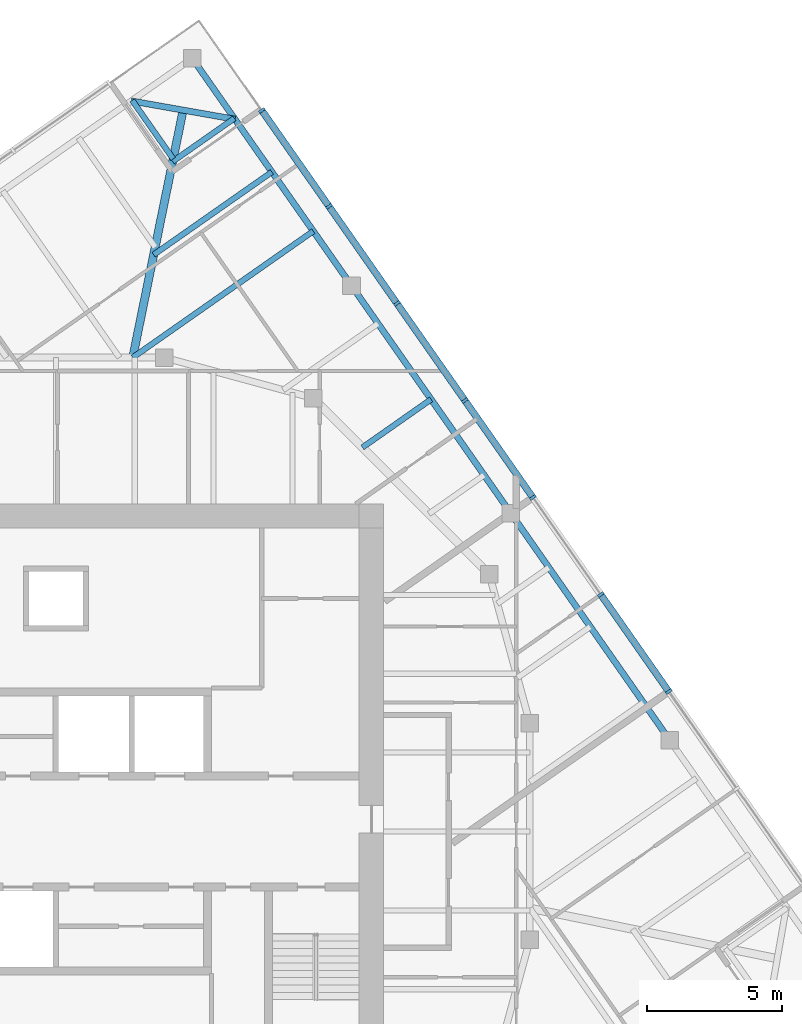
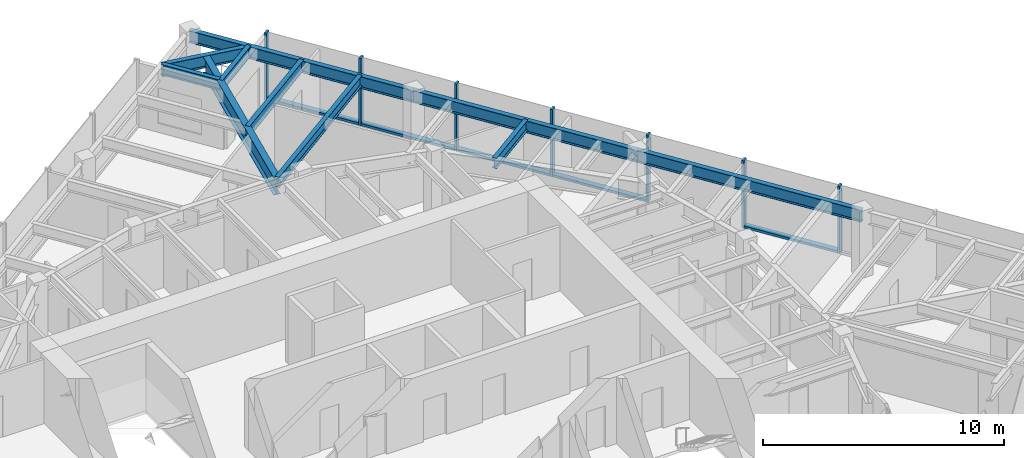
# One storey, part 5 of 12: 12 members, 10 beams, 1 element without a shape of its own.
"""IFC4 building model written with IfcOpenShell, lengths in metres."""

from ifc_helpers import new_model, si_unit, direction, frame, origin, origin_2d, place, context, subcontext, project, spatial, rectangle, i_section, extrude, material, material_profile, profile_set, type_object, element, aggregate, save


model = new_model("IFC4")

# Units and contexts
model_context = context("Model", 3, precision=1e-05, world=origin(), true_north=direction((0.0, 1.0)))
body_context = subcontext(model_context, "Body", "Model", "MODEL_VIEW")
ifc_project = project(units=[si_unit("LENGTHUNIT", "METRE"), si_unit("AREAUNIT", "SQUARE_METRE"), si_unit("VOLUMEUNIT", "CUBIC_METRE"), si_unit("PLANEANGLEUNIT", "RADIAN"), si_unit("MASSUNIT", "GRAM", prefix="KILO")], contexts=[model_context])

# Site, building, storey
site_placement = place(None, origin())
site = spatial("IfcSite", under=ifc_project, at=site_placement, CompositionType="ELEMENT")
building_placement = place(site_placement, origin())
building = spatial("IfcBuilding", under=site, at=building_placement, Name="Torsade Residences", CompositionType="ELEMENT")
storey_placement = place(building_placement, frame((0.0, 0.0, 247.199951171875)))
storey = spatial("IfcBuildingStorey", under=building, at=storey_placement, Name="L68", CompositionType="ELEMENT", Elevation=247.199951171875)

# Beams
ifc_material_1 = material(Name="Steel grade 300", Category="steel")
ifc_material_profile_1 = material_profile(ifc_material_1, i_section(OverallWidth=0.300048828125, OverallDepth=0.89990234375, WebThickness=0.011962890625, FlangeThickness=0.02490234375, at=origin_2d()), Name="900WB175")
ifc_profile_set_1 = profile_set([ifc_material_profile_1], Name="Steel grade 300")
beam_type_1 = type_object("IfcBeamType", Name="CORNER GIRDER 900WB175", PredefinedType="BEAM", material=ifc_profile_set_1)
beam_1_placement = place(storey_placement, frame((44.696533203125, 56.635986328125, 2.800048828125), z_axis=(-0.199584461589, -0.979880626756, 0.0), x_axis=(0.979880626756, -0.199584461589, 0.0)))
element("IfcBeam", 1, at=beam_1_placement, inside=storey, type_object=beam_type_1, Name="Corner girder 09 L69", PredefinedType="BEAM", context=body_context, shape_type="SweptSolid", body=[
    extrude(i_section(OverallWidth=0.300048828125, OverallDepth=0.89990234375, WebThickness=0.011962890625, FlangeThickness=0.02490234375, at=origin_2d()), origin(), (0.0, 0.0, 1.0), 9.323486328125),
])
ifc_material_2 = material(Name="Steel grade 300", Category="steel")
ifc_material_profile_2 = material_profile(ifc_material_2, i_section(OverallWidth=0.22802734375, OverallDepth=0.60205078125, WebThickness=0.010498046875, FlangeThickness=0.014892578125, FilletRadius=0.013916015625, at=origin_2d()), Name="610UB101")
ifc_profile_set_2 = profile_set([ifc_material_profile_2], Name="Steel grade 300")
beam_type_2 = type_object("IfcBeamType", Name="CORNER TRIMMER 610UB101", PredefinedType="BEAM", material=ifc_profile_set_2)
beam_2_placement = place(storey_placement, frame((42.78173828125, 56.9736328125, 2.948974609375), z_axis=(0.984808196894, -0.173645660267, 0.0), x_axis=(0.173645660267, 0.984808196894, 0.0)))
element("IfcBeam", 2, at=beam_2_placement, inside=storey, type_object=beam_type_2, Name="Corner trimmer 09 L69", PredefinedType="BEAM", context=body_context, shape_type="SweptSolid", body=[
    extrude(i_section(OverallWidth=0.22802734375, OverallDepth=0.60205078125, WebThickness=0.010498046875, FlangeThickness=0.014892578125, FilletRadius=0.013916015625, at=origin_2d()), origin(), (0.0, 0.0, 1.0), 3.888916015625),
])
ifc_material_3 = material(Name="Steel grade 300", Category="steel")
ifc_material_profile_3 = material_profile(ifc_material_3, i_section(OverallWidth=0.22900390625, OverallDepth=0.612060546875, WebThickness=0.011962890625, FlangeThickness=0.01953125, FilletRadius=0.013916015625, at=origin_2d()), Name="610UB125")
ifc_profile_set_3 = profile_set([ifc_material_profile_3], Name="Steel grade 300")
beam_type_3 = type_object("IfcBeamType", Name="EDGE BEAM 610UB125", PredefinedType="SPANDREL", material=ifc_profile_set_3)
for number, where, z_axis, x_axis, name in (
    (3, (62.671875, 33.362060546875, 2.944091796875), (-0.573579034377, 0.819150225126, 0.0), (-0.819150225126, -0.573579034377, 0.0), "Edge beam 06 L69"),
    (4, (56.792724609375, 41.75830078125, 2.944091796875), (-0.573579034377, 0.819150225126, 0.0), (-0.819150225126, -0.573579034377, 0.0), "Edge beam 07 L69"),
):
    element("IfcBeam", number, at=place(storey_placement, frame(where, z_axis=z_axis, x_axis=x_axis)), inside=storey, type_object=beam_type_3, Name=name, PredefinedType="SPANDREL", context=body_context, shape_type="SweptSolid", body=[
        extrude(i_section(OverallWidth=0.22900390625, OverallDepth=0.612060546875, WebThickness=0.011962890625, FlangeThickness=0.01953125, FilletRadius=0.013916015625, at=origin_2d()), origin(), (0.0, 0.0, 1.0), 10.25),
    ])
beam_3_placement = place(storey_placement, frame((50.91357421875, 50.154541015625, 2.944091796875), z_axis=(-0.573583825578, 0.819146870247, 0.0), x_axis=(-0.819146870247, -0.573583825578, 0.0)))
element("IfcBeam", 5, at=beam_3_placement, inside=storey, type_object=beam_type_3, Name="Edge beam 08 L69", PredefinedType="SPANDREL", context=body_context, shape_type="SweptSolid", body=[
    extrude(i_section(OverallWidth=0.22900390625, OverallDepth=0.612060546875, WebThickness=0.011962890625, FlangeThickness=0.01953125, FilletRadius=0.013916015625, at=origin_2d()), origin(), (0.0, 0.0, 1.0), 10.250244140625),
])

# Curtain wall, members
ifc_material_4 = material(Name="Aluminium and glass", Category="aluminium")
curtain_wall_type = type_object("IfcCurtainWallType", Name="FRITTED GLASS CURTAIN WALL HIGH ZONE", PredefinedType="NOTDEFINED", material=ifc_material_4)
curtain_wall_placement = place(storey_placement, origin())
curtain_wall = element("IfcCurtainWall", 6, at=curtain_wall_placement, inside=storey, type_object=curtain_wall_type, Name="Curtain wall L68 face 4", PredefinedType="NOTDEFINED")
ifc_material_5 = material(Name="Aluminium mullion", Category="aluminium")
ifc_material_profile_4 = material_profile(ifc_material_5, rectangle(XDim=0.25, YDim=0.10009765625, at=origin_2d()), Name="HIGH ZONE CURTAIN WALL MULLION 250x100")
ifc_profile_set_4 = profile_set([ifc_material_profile_4], Name="Aluminium mullion")
member_type_1 = type_object("IfcMemberType", Name="HIGH ZONE CURTAIN WALL MULLION 250x100", PredefinedType="MULLION", material=ifc_profile_set_4)
member_1_placement = place(storey_placement, frame((62.630615234375, 35.164306640625, 0.0), z_axis=(0.0, 0.0, 1.0), x_axis=(-0.819152029353, -0.573576457682, 0.0)))
member_1 = element("IfcMember", 7, at=member_1_placement, type_object=member_type_1, Name="Mullion 3", PredefinedType="MULLION", context=body_context, shape_type="SweptSolid", body=[
    extrude(rectangle(XDim=0.25, YDim=0.10009765625, at=origin_2d()), origin(), (0.0, 0.0, 1.0), 3.400146484375),
])
member_2_placement = place(storey_placement, frame((60.12109375, 38.748046875, 0.0), z_axis=(0.0, 0.0, 1.0), x_axis=(-0.819152029353, -0.573576457682, 0.0)))
member_2 = element("IfcMember", 8, at=member_2_placement, type_object=member_type_1, Name="Mullion 4", PredefinedType="MULLION", context=body_context, shape_type="SweptSolid", body=[
    extrude(rectangle(XDim=0.25, YDim=0.10009765625, at=origin_2d()), origin(), (0.0, 0.0, 1.0), 3.400146484375),
])
member_3_placement = place(storey_placement, frame((57.61181640625, 42.331787109375, 0.0), z_axis=(0.0, 0.0, 1.0), x_axis=(-0.819152029353, -0.573576457682, 0.0)))
member_3 = element("IfcMember", 9, at=member_3_placement, type_object=member_type_1, Name="Mullion 5", PredefinedType="MULLION", context=body_context, shape_type="SweptSolid", body=[
    extrude(rectangle(XDim=0.25, YDim=0.10009765625, at=origin_2d()), origin(), (0.0, 0.0, 1.0), 3.400146484375),
])
member_4_placement = place(storey_placement, frame((55.102294921875, 45.915771484375, 0.0), z_axis=(0.0, 0.0, 1.0), x_axis=(-0.819152029353, -0.573576457682, 0.0)))
member_4 = element("IfcMember", 10, at=member_4_placement, type_object=member_type_1, Name="Mullion 6", PredefinedType="MULLION", context=body_context, shape_type="SweptSolid", body=[
    extrude(rectangle(XDim=0.25, YDim=0.10009765625, at=origin_2d()), origin(), (0.0, 0.0, 1.0), 3.400146484375),
])
member_5_placement = place(storey_placement, frame((52.593017578125, 49.49951171875, 0.0), z_axis=(0.0, 0.0, 1.0), x_axis=(-0.819152029353, -0.573576457682, 0.0)))
member_5 = element("IfcMember", 11, at=member_5_placement, type_object=member_type_1, Name="Mullion 7", PredefinedType="MULLION", context=body_context, shape_type="SweptSolid", body=[
    extrude(rectangle(XDim=0.25, YDim=0.10009765625, at=origin_2d()), origin(), (0.0, 0.0, 1.0), 3.400146484375),
])
member_6_placement = place(storey_placement, frame((50.08349609375, 53.083251953125, 0.0), z_axis=(0.0, 0.0, 1.0), x_axis=(-0.819152029353, -0.573576457682, 0.0)))
member_6 = element("IfcMember", 12, at=member_6_placement, type_object=member_type_1, Name="Mullion 8", PredefinedType="MULLION", context=body_context, shape_type="SweptSolid", body=[
    extrude(rectangle(XDim=0.25, YDim=0.10009765625, at=origin_2d()), origin(), (0.0, 0.0, 1.0), 3.400146484375),
])
member_7_placement = place(storey_placement, frame((47.602783203125, 56.6259765625, 0.0), z_axis=(0.0, 0.0, 1.0), x_axis=(-0.819152029353, -0.573576457682, 0.0)))
member_7 = element("IfcMember", 13, at=member_7_placement, type_object=member_type_1, Name="Mullion 9", PredefinedType="MULLION", context=body_context, shape_type="SweptSolid", body=[
    extrude(rectangle(XDim=0.25, YDim=0.10009765625, at=origin_2d()), origin(), (0.0, 0.0, 1.0), 3.400146484375),
])
ifc_material_6 = material(Name="Aluminium transom", Category="aluminium")
ifc_material_profile_5 = material_profile(ifc_material_6, rectangle(XDim=0.25, YDim=0.1201171875, at=origin_2d()), Name="HIGH ZONE CURTAIN WALL TRANSOM 250x120")
ifc_profile_set_5 = profile_set([ifc_material_profile_5], Name="Aluminium transom")
member_type_2 = type_object("IfcMemberType", Name="HIGH ZONE CURTAIN WALL TRANSOM 250x120", PredefinedType="USERDEFINED", material=ifc_profile_set_5)
member_8_placement = place(storey_placement, frame((62.601806640625, 35.205322265625, 0.06005859375), z_axis=(-0.573573496219, 0.819154102984, 0.0), x_axis=(-0.819154102984, -0.573573496219, 0.0)))
member_8 = element("IfcMember", 14, at=member_8_placement, type_object=member_type_2, Name="Transom 3.1", ObjectType="TRANSOM", PredefinedType="USERDEFINED", context=body_context, shape_type="SweptSolid", body=[
    extrude(rectangle(XDim=0.25, YDim=0.1201171875, at=origin_2d()), origin(), (0.0, 0.0, 1.0), 4.27490234375),
])
member_9_placement = place(storey_placement, frame((57.5830078125, 42.372802734375, 0.06005859375), z_axis=(-0.573546663483, 0.81917289067, 0.0), x_axis=(-0.81917289067, -0.573546663483, 0.0)))
member_9 = element("IfcMember", 15, at=member_9_placement, type_object=member_type_2, Name="Transom 5.1", ObjectType="TRANSOM", PredefinedType="USERDEFINED", context=body_context, shape_type="SweptSolid", body=[
    extrude(rectangle(XDim=0.25, YDim=0.1201171875, at=origin_2d()), origin(), (0.0, 0.0, 1.0), 4.27490234375),
])
member_10_placement = place(storey_placement, frame((55.07373046875, 45.95654296875, 0.06005859375), z_axis=(-0.57358498433, 0.819146058863, 0.0), x_axis=(-0.819146058863, -0.57358498433, 0.0)))
member_10 = element("IfcMember", 16, at=member_10_placement, type_object=member_type_2, Name="Transom 6.1", ObjectType="TRANSOM", PredefinedType="USERDEFINED", context=body_context, shape_type="SweptSolid", body=[
    extrude(rectangle(XDim=0.25, YDim=0.1201171875, at=origin_2d()), origin(), (0.0, 0.0, 1.0), 4.275146484375),
])
member_11_placement = place(storey_placement, frame((52.564208984375, 49.54052734375, 0.06005859375), z_axis=(-0.573573496219, 0.819154102984, 0.0), x_axis=(-0.819154102984, -0.573573496219, 0.0)))
member_11 = element("IfcMember", 17, at=member_11_placement, type_object=member_type_2, Name="Transom 7.1", ObjectType="TRANSOM", PredefinedType="USERDEFINED", context=body_context, shape_type="SweptSolid", body=[
    extrude(rectangle(XDim=0.25, YDim=0.1201171875, at=origin_2d()), origin(), (0.0, 0.0, 1.0), 4.27490234375),
])
member_12_placement = place(storey_placement, frame((50.054931640625, 53.124267578125, 0.06005859375), z_axis=(-0.573570928023, 0.819155901234, 0.0), x_axis=(-0.819155901234, -0.573570928023, 0.0)))
member_12 = element("IfcMember", 18, at=member_12_placement, type_object=member_type_2, Name="Transom 8.1", ObjectType="TRANSOM", PredefinedType="USERDEFINED", context=body_context, shape_type="SweptSolid", body=[
    extrude(rectangle(XDim=0.25, YDim=0.1201171875, at=origin_2d()), origin(), (0.0, 0.0, 1.0), 4.22509765625),
])
aggregate(curtain_wall, [member_1, member_2, member_3, member_4, member_5, member_6, member_7, member_8, member_9, member_10, member_11, member_12])

# Beams
ifc_material_7 = material(Name="Steel grade 300", Category="steel")
ifc_material_profile_6 = material_profile(ifc_material_7, i_section(OverallWidth=0.208984375, OverallDepth=0.532958984375, WebThickness=0.01025390625, FlangeThickness=0.015625, FilletRadius=0.013916015625, at=origin_2d()), Name="530UB92.4")
ifc_profile_set_6 = profile_set([ifc_material_profile_6], Name="Steel grade 300")
beam_type_4 = type_object("IfcBeamType", Name="SECONDARY BEAM 530UB92.4", PredefinedType="JOIST", material=ifc_profile_set_6)
beam_4_placement = place(storey_placement, frame((53.85302734375, 45.95654296875, 2.983642578125), z_axis=(-0.819135534955, -0.573600013401, 0.0), x_axis=(0.573600013401, -0.819135534955, 0.0)))
element("IfcBeam", 19, at=beam_4_placement, inside=storey, type_object=beam_type_4, Name="Floor beam FE08 L69", PredefinedType="JOIST", context=body_context, shape_type="SweptSolid", body=[
    extrude(i_section(OverallWidth=0.208984375, OverallDepth=0.532958984375, WebThickness=0.01025390625, FlangeThickness=0.015625, FilletRadius=0.013916015625, at=origin_2d()), origin(), (0.0, 0.0, 1.0), 3.09423828125),
])
beam_5_placement = place(storey_placement, frame((49.50341796875, 52.16845703125, 2.983642578125), z_axis=(-0.819151588523, -0.573577087251, 0.0), x_axis=(0.573577087251, -0.819151588523, 0.0)))
element("IfcBeam", 20, at=beam_5_placement, inside=storey, type_object=beam_type_4, Name="Floor beam FE10 L69", PredefinedType="JOIST", context=body_context, shape_type="SweptSolid", body=[
    extrude(i_section(OverallWidth=0.208984375, OverallDepth=0.532958984375, WebThickness=0.01025390625, FlangeThickness=0.015625, FilletRadius=0.013916015625, at=origin_2d()), origin(), (0.0, 0.0, 1.0), 8.13916015625),
])
beam_6_placement = place(storey_placement, frame((47.973876953125, 54.352783203125, 2.983642578125), z_axis=(-0.819137197966, -0.573597638513, 0.0), x_axis=(0.573597638513, -0.819137197966, 0.0)))
element("IfcBeam", 21, at=beam_6_placement, inside=storey, type_object=beam_type_4, Name="Floor beam FE11 L69", PredefinedType="JOIST", context=body_context, shape_type="SweptSolid", body=[
    extrude(i_section(OverallWidth=0.208984375, OverallDepth=0.532958984375, WebThickness=0.01025390625, FlangeThickness=0.015625, FilletRadius=0.013916015625, at=origin_2d()), origin(), (0.0, 0.0, 1.0), 5.328369140625),
])
beam_7_placement = place(storey_placement, frame((46.587646484375, 56.332275390625, 2.983642578125), z_axis=(-0.819190669238, -0.573521270253, 0.0), x_axis=(0.573521270253, -0.819190669238, 0.0)))
element("IfcBeam", 22, at=beam_7_placement, inside=storey, type_object=beam_type_4, Name="Floor beam FE12 L69", PredefinedType="JOIST", context=body_context, shape_type="SweptSolid", body=[
    extrude(i_section(OverallWidth=0.208984375, OverallDepth=0.532958984375, WebThickness=0.01025390625, FlangeThickness=0.015625, FilletRadius=0.013916015625, at=origin_2d()), origin(), (0.0, 0.0, 1.0), 2.780517578125),
])
beam_8_placement = place(storey_placement, frame((42.815673828125, 56.99755859375, 2.983642578125), z_axis=(0.573592685254, -0.819140666445, 0.0), x_axis=(0.819140666445, 0.573592685254, 0.0)))
element("IfcBeam", 23, at=beam_8_placement, inside=storey, type_object=beam_type_4, Name="Floor beam FN01 L69", PredefinedType="JOIST", context=body_context, shape_type="SweptSolid", body=[
    extrude(i_section(OverallWidth=0.208984375, OverallDepth=0.532958984375, WebThickness=0.01025390625, FlangeThickness=0.015625, FilletRadius=0.013916015625, at=origin_2d()), origin(), (0.0, 0.0, 1.0), 2.639892578125),
])

save(model, "model.ifc")
